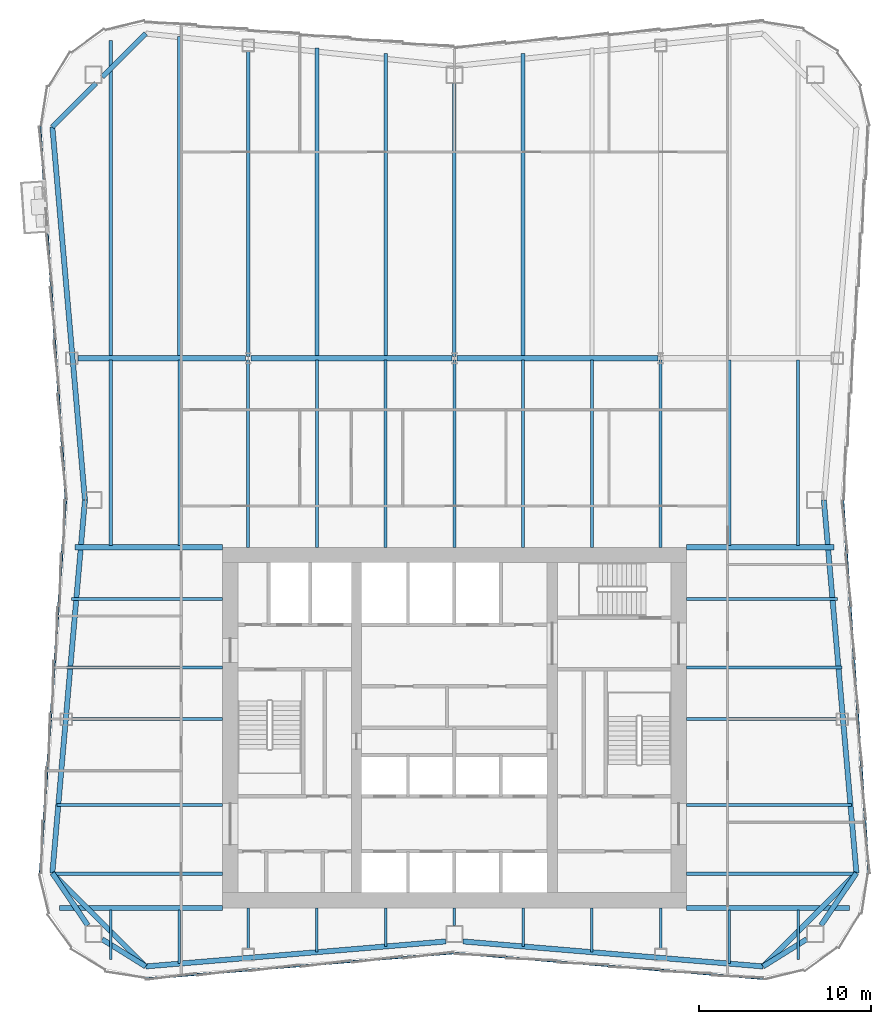
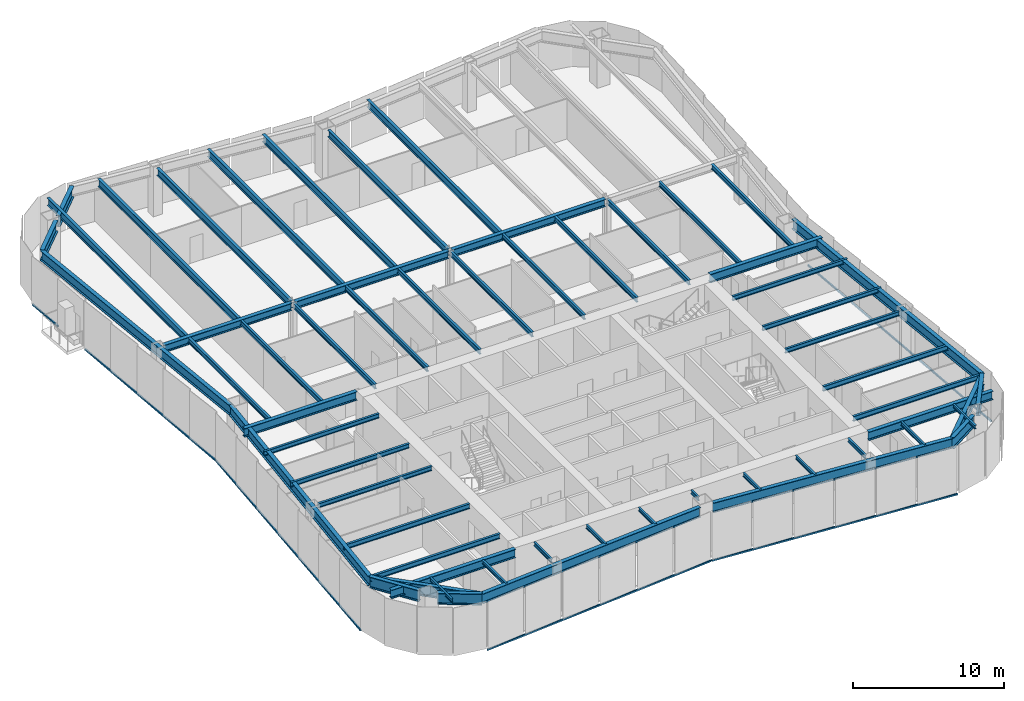
# One storey, part 2 of 10: 59 beams, 6 members, 3 elements without a shape of their own.
"""IFC4 building model written with IfcOpenShell, lengths in metres."""

import ifcopenshell
import ifcopenshell.guid

model = None  # the IFC model being written
_history = None  # IfcOwnerHistory: only IFC2X3 demands one
_inside = {}  # id of a spatial element -> (the spatial element, [elements in it])
_under = {}  # id of a project, library or spatial element -> (it, [spatial elements below it])
_declared = {}  # id of a project -> (the project, [libraries it declares])
_typed = {}  # id of a type object -> (the type object, [elements of that type])
_made_of = {}  # id of a material, layer set ... -> (it, [elements and type objects made of it])


def new_model(schema):
    """Start an empty IFC model of exactly this schema.

    Asked for "IFC4X3", IfcOpenShell would pick the latest addendum, in which some entities
    have other attributes; the version numbers below select the first issue.
    IFC2X3 requires an IfcOwnerHistory on every rooted entity: one is made here for all.
    """
    global model, _history
    if schema == "IFC4X3":
        model = ifcopenshell.file(schema_version=(4, 3, 0, 0))
    else:
        model = ifcopenshell.file(schema=schema)
    _inside.clear()
    _under.clear()
    _declared.clear()
    _typed.clear()
    _made_of.clear()
    _history = None
    if model.schema == "IFC2X3":
        org = make("IfcOrganization", Name="unknown")
        user = make(
            "IfcPersonAndOrganization",
            ThePerson=make("IfcPerson", FamilyName="unknown"),
            TheOrganization=org,
        )
        app = make(
            "IfcApplication",
            ApplicationDeveloper=org,
            Version="unknown",
            ApplicationFullName="unknown",
            ApplicationIdentifier="unknown",
        )
        _history = make(
            "IfcOwnerHistory",
            OwningUser=user,
            OwningApplication=app,
            ChangeAction="ADDED",
            CreationDate=0,
        )
    return model


def make(cls, **values):
    """One entity of the class cls with the attributes given. An attribute that is None is left unset."""
    return model.create_entity(
        cls, **{name: value for name, value in values.items() if value is not None}
    )


def rooted(cls, **values):
    """An entity with a GlobalId (a new one), such as an element, a storey or a relation."""
    return make(cls, GlobalId=ifcopenshell.guid.new(), OwnerHistory=_history, **values)


def si_unit(unit_type, name, prefix=None):
    """IfcSIUnit, for example si_unit("LENGTHUNIT", "METRE", prefix="MILLI")."""
    return make("IfcSIUnit", UnitType=unit_type, Prefix=prefix, Name=name)


def assignment(units):
    """IfcUnitAssignment: the units of a project."""
    return None if units is None else make("IfcUnitAssignment", Units=units)


def point(xyz):
    """IfcCartesianPoint."""
    return None if xyz is None else make("IfcCartesianPoint", Coordinates=xyz)


def direction(xyz):
    """IfcDirection."""
    return None if xyz is None else make("IfcDirection", DirectionRatios=xyz)


def frame(location, z_axis=None, x_axis=None):
    """IfcAxis2Placement3D, a coordinate frame: its origin and axes. An axis left out is left unset."""
    return make(
        "IfcAxis2Placement3D",
        Location=point(location),
        Axis=direction(z_axis),
        RefDirection=direction(x_axis),
    )


def frame_2d(location, x_axis=None):
    """IfcAxis2Placement2D, a coordinate frame in the plane: its origin and x axis."""
    return make(
        "IfcAxis2Placement2D", Location=point(location), RefDirection=direction(x_axis)
    )


def origin():
    """The frame at (0, 0, 0) with its axes left unset."""
    return frame((0.0, 0.0, 0.0))


def origin_2d():
    """The frame at (0, 0) in the plane with its x axis left unset."""
    return frame_2d((0.0, 0.0))


def place(relative_to, where):
    """IfcLocalPlacement: puts the frame where relative to a parent placement (None: the world)."""
    return make(
        "IfcLocalPlacement", PlacementRelTo=relative_to, RelativePlacement=where
    )


def context(
    kind, dimensions, precision=None, world=None, true_north=None, identifier=None
):
    """IfcGeometricRepresentationContext, for example the 3D "Model" context."""
    return make(
        "IfcGeometricRepresentationContext",
        ContextIdentifier=identifier,
        ContextType=kind,
        CoordinateSpaceDimension=dimensions,
        Precision=precision,
        WorldCoordinateSystem=world,
        TrueNorth=true_north,
    )


def subcontext(parent, identifier, kind, view, scale=None):
    """IfcGeometricRepresentationSubContext, for example "Body" below "Model"."""
    return make(
        "IfcGeometricRepresentationSubContext",
        ContextIdentifier=identifier,
        ContextType=kind,
        ParentContext=parent,
        TargetScale=scale,
        TargetView=view,
    )


def project(units=None, contexts=None):
    """IfcProject with its units and contexts."""
    return rooted(
        "IfcProject",
        Name="project",
        RepresentationContexts=contexts,
        UnitsInContext=assignment(units),
    )


def spatial(cls, under=None, at=None, **own):
    """A site, building, storey or space (cls), placed at a placement, below another one or the project."""
    s = rooted(cls, ObjectPlacement=at, **own)
    if under is not None:
        _under.setdefault(under.id(), (under, []))[1].append(s)
    return s


def profile(cls, at=None, kind="AREA", **sizes):
    """A parametric profile (cls). Its sizes go by their IFC names, for example OverallWidth=200.0."""
    return make(cls, ProfileType=kind, Position=at, **sizes)


def rectangle(**sizes):
    """IfcRectangleProfileDef."""
    return profile("IfcRectangleProfileDef", **sizes)


def i_section(**sizes):
    """IfcIShapeProfileDef."""
    return profile("IfcIShapeProfileDef", **sizes)


def extrude(swept, where, along, depth):
    """IfcExtrudedAreaSolid: the profile swept, set in the frame where, extruded along a direction by depth."""
    return make(
        "IfcExtrudedAreaSolid",
        SweptArea=swept,
        Position=where,
        ExtrudedDirection=direction(along),
        Depth=depth,
    )


def shape(context_of_items, identifier, shape_type, items):
    """IfcShapeRepresentation: the items that make up one representation, for example the "Body"."""
    return make(
        "IfcShapeRepresentation",
        ContextOfItems=context_of_items,
        RepresentationIdentifier=identifier,
        RepresentationType=shape_type,
        Items=items,
    )


def material(Name=None, Category=None):
    """IfcMaterial."""
    return make("IfcMaterial", Name=Name, Category=Category)


def material_profile(
    of_material, cross_section, Name=None, Category=None, Priority=None
):
    """IfcMaterialProfile: a cross section and its material."""
    return make(
        "IfcMaterialProfile",
        Name=Name,
        Material=of_material,
        Profile=cross_section,
        Priority=Priority,
        Category=Category,
    )


def profile_set(profiles, Name=None, composite=None):
    """IfcMaterialProfileSet."""
    return make(
        "IfcMaterialProfileSet",
        Name=Name,
        MaterialProfiles=profiles,
        CompositeProfile=composite,
    )


def made_of(thing, what):
    """Note that an element or type object is made of a material, layer set ...; save() writes the relation."""
    if what is not None:
        _made_of.setdefault(what.id(), (what, []))[1].append(thing)
    return thing


def type_object(cls, material=None, **own):
    """A type object (cls), such as IfcWallType, which elements share."""
    return made_of(rooted(cls, **own), material)


def element(
    cls,
    number,
    at=None,
    inside=None,
    cuts=None,
    type_object=None,
    material=None,
    context=None,
    identifier="Body",
    shape_type=None,
    held_by="IfcProductDefinitionShape",
    body=None,
    shapes=None,
    **own,
):
    """One element of the class cls, such as IfcWall. Its Tag is "e" and its number.

    at: its placement. inside: the storey or other place that contains it. cuts: it is an
    opening in that element (IfcRelVoidsElement). A single representation is given by context,
    identifier, shape_type and body (its items); several are given by shapes. held_by: the class
    of the entity that holds the representations. save() writes the other relations.
    """
    e = rooted(cls, Tag="e%d" % number, ObjectPlacement=at, **own)
    if body is not None:
        shapes = [shape(context, identifier, shape_type, body)]
    if shapes is not None:
        e.Representation = make(held_by, Representations=shapes)
    if inside is not None:
        _inside.setdefault(inside.id(), (inside, []))[1].append(e)
    if cuts is not None:
        rooted(
            "IfcRelVoidsElement", RelatingBuildingElement=cuts, RelatedOpeningElement=e
        )
    if type_object is not None:
        _typed.setdefault(type_object.id(), (type_object, []))[1].append(e)
    return made_of(e, material)


def aggregate(whole, parts):
    """IfcRelAggregates: a whole, such as a stair, and the parts it consists of."""
    return rooted("IfcRelAggregates", RelatingObject=whole, RelatedObjects=parts)


def save(model, path):
    """Write the relations noted so far, then the file.

    IfcRelAggregates (storeys below a building ...), IfcRelContainedInSpatialStructure (elements
    in a storey), IfcRelDefinesByType, IfcRelAssociatesMaterial and IfcRelDeclares: one each for
    every whole, place, type object, material and project.
    """
    for whole, parts in _under.values():
        aggregate(whole, parts)
    for where, things in _inside.values():
        rooted(
            "IfcRelContainedInSpatialStructure",
            RelatedElements=things,
            RelatingStructure=where,
        )
    for kind, things in _typed.values():
        rooted("IfcRelDefinesByType", RelatedObjects=things, RelatingType=kind)
    for what, things in _made_of.values():
        rooted("IfcRelAssociatesMaterial", RelatedObjects=things, RelatingMaterial=what)
    for by, libraries in _declared.values():
        rooted("IfcRelDeclares", RelatingContext=by, RelatedDefinitions=libraries)
    model.write(path)


model = new_model("IFC4")

# Units and contexts
model_context = context("Model", 3, precision=1e-05, world=origin(), true_north=direction((0.0, 1.0)))
body_context = subcontext(model_context, "Body", "Model", "MODEL_VIEW")
ifc_project = project(units=[si_unit("LENGTHUNIT", "METRE"), si_unit("AREAUNIT", "SQUARE_METRE"), si_unit("VOLUMEUNIT", "CUBIC_METRE"), si_unit("PLANEANGLEUNIT", "RADIAN"), si_unit("MASSUNIT", "GRAM", prefix="KILO")], contexts=[model_context])

# Site, building, storey
site_placement = place(None, origin())
site = spatial("IfcSite", under=ifc_project, at=site_placement, CompositionType="ELEMENT")
building_placement = place(site_placement, origin())
building = spatial("IfcBuilding", under=site, at=building_placement, Name="Verdant Reach Tower", CompositionType="ELEMENT")
storey_placement = place(building_placement, frame((0.0, 0.0, 202.0)))
storey = spatial("IfcBuildingStorey", under=building, at=storey_placement, Name="L46", CompositionType="ELEMENT", Elevation=202.0)

# Curtain wall, member
ifc_material_1 = material(Name="Anodised aluminium", Category="aluminium")
curtain_wall_type = type_object("IfcCurtainWallType", Name="EN-CW SYSTEM Z3", PredefinedType="NOTDEFINED", material=ifc_material_1)
curtain_wall_1_placement = place(storey_placement, origin())
curtain_wall_1 = element("IfcCurtainWall", 1, at=curtain_wall_1_placement, inside=storey, type_object=curtain_wall_type, Name="Curtain wall east, L46", PredefinedType="NOTDEFINED")
ifc_material_profile_1 = material_profile(ifc_material_1, rectangle(XDim=0.10009765625, YDim=0.1259765625, at=origin_2d()), Name="Transom 126x100")
ifc_profile_set_1 = profile_set([ifc_material_profile_1], Name="Anodised aluminium")
member_type = type_object("IfcMemberType", Name="EN-TRANSOM Z3", PredefinedType="USERDEFINED", material=ifc_profile_set_1)
member_1_placement = place(storey_placement, frame((24.1064453125, 19.52587890625, -0.287109375), z_axis=(-0.068764326054, 0.997632932226, 0.0), x_axis=(-0.997632932226, -0.068764326054, 0.0)))
member_1 = element("IfcMember", 2, at=member_1_placement, type_object=member_type, Name="Transom east face part 1 1.1, L46", ObjectType="TRANSOM", PredefinedType="USERDEFINED", context=body_context, shape_type="SweptSolid", body=[
    extrude(rectangle(XDim=0.10009765625, YDim=0.1259765625, at=origin_2d()), origin(), (0.0, 0.0, 1.0), 21.74267578125),
])
aggregate(curtain_wall_1, [member_1])

# Curtain wall, members
curtain_wall_2_placement = place(storey_placement, origin())
curtain_wall_2 = element("IfcCurtainWall", 3, at=curtain_wall_2_placement, inside=storey, type_object=curtain_wall_type, Name="Curtain wall west, L46", PredefinedType="NOTDEFINED")
member_2_placement = place(storey_placement, frame((-24.1064453125, 62.97412109375, -0.287109375), z_axis=(0.068465633569, -0.997653475421, 0.0), x_axis=(0.997653475421, 0.068465633569, 0.0)))
member_2 = element("IfcMember", 4, at=member_2_placement, type_object=member_type, Name="Transom west face part 1 1.1, L46", ObjectType="TRANSOM", PredefinedType="USERDEFINED", context=body_context, shape_type="SweptSolid", body=[
    extrude(rectangle(XDim=0.10009765625, YDim=0.1259765625, at=origin_2d()), origin(), (0.0, 0.0, 1.0), 3.06298828125),
])
member_3_placement = place(storey_placement, frame((-23.677978515625, 56.745361328125, -0.287109375), z_axis=(0.068819931299, -0.99762909794, 0.0), x_axis=(0.99762909794, 0.068819931299, 0.0)))
member_3 = element("IfcMember", 5, at=member_3_placement, type_object=member_type, Name="Transom west face part 1 2.1, L46", ObjectType="TRANSOM", PredefinedType="USERDEFINED", context=body_context, shape_type="SweptSolid", body=[
    extrude(rectangle(XDim=0.10009765625, YDim=0.1259765625, at=origin_2d()), origin(), (0.0, 0.0, 1.0), 15.499267578125),
])
member_4_placement = place(storey_placement, frame((-22.611328125, 41.217041015625, -0.287109375), z_axis=(-0.068764326054, -0.997632932226, 0.0), x_axis=(0.997632932226, -0.068764326054, 0.0)))
member_4 = element("IfcMember", 6, at=member_4_placement, type_object=member_type, Name="Transom west face part 2 1.1, L46", ObjectType="TRANSOM", PredefinedType="USERDEFINED", context=body_context, shape_type="SweptSolid", body=[
    extrude(rectangle(XDim=0.10009765625, YDim=0.1259765625, at=origin_2d()), origin(), (0.0, 0.0, 1.0), 21.74267578125),
])
aggregate(curtain_wall_2, [member_2, member_3, member_4])

curtain_wall_3_placement = place(storey_placement, origin())
curtain_wall_3 = element("IfcCurtainWall", 7, at=curtain_wall_3_placement, inside=storey, type_object=curtain_wall_type, Name="Curtain wall south, L46", PredefinedType="NOTDEFINED")
member_5_placement = place(storey_placement, frame((-17.973388671875, 13.393798828125, -0.287109375), z_axis=(0.996548750467, 0.083009565369, 0.0), x_axis=(-0.083009565369, 0.996548750467, 0.0)))
member_5 = element("IfcMember", 8, at=member_5_placement, type_object=member_type, Name="Transom south face part 1 1.1, L46", ObjectType="TRANSOM", PredefinedType="USERDEFINED", context=body_context, shape_type="SweptSolid", body=[
    extrude(rectangle(XDim=0.10009765625, YDim=0.1259765625, at=origin_2d()), origin(), (0.0, 0.0, 1.0), 18.00244140625),
])
member_6_placement = place(storey_placement, frame((0.032958984375, 14.88818359375, -0.287109375), z_axis=(0.996548750467, -0.083009565369, 0.0), x_axis=(0.083009565369, 0.996548750467, 0.0)))
member_6 = element("IfcMember", 9, at=member_6_placement, type_object=member_type, Name="Transom south face part 2 1.1, L46", ObjectType="TRANSOM", PredefinedType="USERDEFINED", context=body_context, shape_type="SweptSolid", body=[
    extrude(rectangle(XDim=0.10009765625, YDim=0.1259765625, at=origin_2d()), origin(), (0.0, 0.0, 1.0), 18.00244140625),
])
aggregate(curtain_wall_3, [member_5, member_6])

# Beams
ifc_material_2 = material(Name="Steel S355", Category="steel")
ifc_material_profile_2 = material_profile(ifc_material_2, i_section(OverallWidth=0.300048828125, OverallDepth=0.60009765625, WebThickness=0.015380859375, FlangeThickness=0.030029296875, FilletRadius=0.027099609375, at=origin_2d()), Name="HEB 600")
ifc_profile_set_2 = profile_set([ifc_material_profile_2], Name="Steel S355")
beam_type_1 = type_object("IfcBeamType", Name="ST-BEAM-HEB600", PredefinedType="BEAM", material=ifc_profile_set_2)
beam_1_placement = place(storey_placement, frame((-21.9189453125, 49.5, 3.570068359375), z_axis=(1.0, 0.0, 0.0), x_axis=(0.0, 1.0, 0.0)))
element("IfcBeam", 10, at=beam_1_placement, inside=storey, type_object=beam_type_1, Name="Row girder, L46", PredefinedType="BEAM", context=body_context, shape_type="SweptSolid", body=[
    extrude(i_section(OverallWidth=0.300048828125, OverallDepth=0.60009765625, WebThickness=0.015380859375, FlangeThickness=0.030029296875, FilletRadius=0.027099609375, at=origin_2d()), origin(), (0.0, 0.0, 1.0), 9.766357421875),
])
for number, where, z_axis, x_axis, name in (
    (11, (-11.847412109375, 49.5, 3.570068359375), (1.0, 0.0, 0.0), (0.0, 1.0, 0.0), "Row girder, L46"),
    (12, (0.152587890625, 49.5, 3.570068359375), (1.0, 0.0, 0.0), (0.0, 1.0, 0.0), "Row girder, L46"),
):
    element("IfcBeam", number, at=place(storey_placement, frame(where, z_axis=z_axis, x_axis=x_axis)), inside=storey, type_object=beam_type_1, Name=name, PredefinedType="BEAM", context=body_context, shape_type="SweptSolid", body=[
        extrude(i_section(OverallWidth=0.300048828125, OverallDepth=0.60009765625, WebThickness=0.015380859375, FlangeThickness=0.030029296875, FilletRadius=0.027099609375, at=origin_2d()), origin(), (0.0, 0.0, 1.0), 11.69482421875),
    ])
ifc_material_profile_3 = material_profile(ifc_material_2, i_section(OverallWidth=0.300048828125, OverallDepth=0.699951171875, WebThickness=0.01708984375, FlangeThickness=0.031982421875, FilletRadius=0.027099609375, at=origin_2d()), Name="HEB 700")
ifc_profile_set_3 = profile_set([ifc_material_profile_3], Name="Steel S355")
beam_type_2 = type_object("IfcBeamType", Name="ST-BEAM-HEB700", PredefinedType="BEAM", material=ifc_profile_set_3)
for number, where, z_axis, x_axis, name in (
    (13, (13.5, 38.5, 3.52001953125), (1.0, 0.0, 0.0), (0.0, 1.0, 0.0), "Trimmer beam, L46"),
    (14, (-13.5, 38.5, 3.52001953125), (-1.0, 0.0, 0.0), (0.0, -1.0, 0.0), "Trimmer beam, L46"),
):
    element("IfcBeam", number, at=place(storey_placement, frame(where, z_axis=z_axis, x_axis=x_axis)), inside=storey, type_object=beam_type_2, Name=name, PredefinedType="BEAM", context=body_context, shape_type="SweptSolid", body=[
        extrude(i_section(OverallWidth=0.300048828125, OverallDepth=0.699951171875, WebThickness=0.01708984375, FlangeThickness=0.031982421875, FilletRadius=0.027099609375, at=origin_2d()), origin(), (0.0, 0.0, 1.0), 8.588134765625),
    ])
for number, where, z_axis, x_axis, name in (
    (15, (13.5, 17.5, 3.52001953125), (1.0, 0.0, 0.0), (0.0, 1.0, 0.0), "Trimmer beam, L46"),
    (16, (-13.5, 17.5, 3.52001953125), (-1.0, 0.0, 0.0), (0.0, -1.0, 0.0), "Trimmer beam, L46"),
):
    element("IfcBeam", number, at=place(storey_placement, frame(where, z_axis=z_axis, x_axis=x_axis)), inside=storey, type_object=beam_type_2, Name=name, PredefinedType="BEAM", context=body_context, shape_type="SweptSolid", body=[
        extrude(i_section(OverallWidth=0.300048828125, OverallDepth=0.699951171875, WebThickness=0.01708984375, FlangeThickness=0.031982421875, FilletRadius=0.027099609375, at=origin_2d()), origin(), (0.0, 0.0, 1.0), 9.490478515625),
    ])
ifc_material_profile_4 = material_profile(ifc_material_2, i_section(OverallWidth=0.302001953125, OverallDepth=0.909912109375, WebThickness=0.02099609375, FlangeThickness=0.0400390625, FilletRadius=0.030029296875, at=origin_2d()), Name="HEM 900")
ifc_profile_set_4 = profile_set([ifc_material_profile_4], Name="Steel S355")
beam_type_3 = type_object("IfcBeamType", Name="ST-BEAM-HEM900", PredefinedType="BEAM", material=ifc_profile_set_4)
beam_2_placement = place(storey_placement, frame((20.5, 15.687744140625, 3.4150390625), z_axis=(-0.848163521635, -0.529734500073, 0.0), x_axis=(0.529734500073, -0.848163521635, 0.0)))
element("IfcBeam", 17, at=beam_2_placement, inside=storey, type_object=beam_type_3, Name="Column stub beam, L46", PredefinedType="BEAM", context=body_context, shape_type="SweptSolid", body=[
    extrude(i_section(OverallWidth=0.302001953125, OverallDepth=0.909912109375, WebThickness=0.02099609375, FlangeThickness=0.0400390625, FilletRadius=0.030029296875, at=origin_2d()), origin(), (0.0, 0.0, 1.0), 2.98779296875),
])
beam_3_placement = place(storey_placement, frame((21.33837890625, 16.5, 3.4150390625), z_axis=(0.560703975309, 0.828016335631, 0.0), x_axis=(-0.828016335631, 0.560703975309, 0.0)))
element("IfcBeam", 18, at=beam_3_placement, inside=storey, type_object=beam_type_3, Name="Column stub beam, L46", PredefinedType="BEAM", context=body_context, shape_type="SweptSolid", body=[
    extrude(i_section(OverallWidth=0.302001953125, OverallDepth=0.909912109375, WebThickness=0.02099609375, FlangeThickness=0.0400390625, FilletRadius=0.030029296875, at=origin_2d()), origin(), (0.0, 0.0, 1.0), 3.669677734375),
])
beam_4_placement = place(storey_placement, frame((-20.5, 15.687744140625, 3.4150390625), z_axis=(0.848163521635, -0.529734500073, 0.0), x_axis=(0.529734500073, 0.848163521635, 0.0)))
element("IfcBeam", 19, at=beam_4_placement, inside=storey, type_object=beam_type_3, Name="Column stub beam, L46", PredefinedType="BEAM", context=body_context, shape_type="SweptSolid", body=[
    extrude(i_section(OverallWidth=0.302001953125, OverallDepth=0.909912109375, WebThickness=0.02099609375, FlangeThickness=0.0400390625, FilletRadius=0.030029296875, at=origin_2d()), origin(), (0.0, 0.0, 1.0), 2.98779296875),
])
beam_5_placement = place(storey_placement, frame((-21.33837890625, 16.5, 3.4150390625), z_axis=(-0.560703975309, 0.828016335631, 0.0), x_axis=(-0.828016335631, -0.560703975309, 0.0)))
element("IfcBeam", 20, at=beam_5_placement, inside=storey, type_object=beam_type_3, Name="Column stub beam, L46", PredefinedType="BEAM", context=body_context, shape_type="SweptSolid", body=[
    extrude(i_section(OverallWidth=0.302001953125, OverallDepth=0.909912109375, WebThickness=0.02099609375, FlangeThickness=0.0400390625, FilletRadius=0.030029296875, at=origin_2d()), origin(), (0.0, 0.0, 1.0), 3.669677734375),
])
ifc_material_profile_5 = material_profile(ifc_material_2, i_section(OverallWidth=0.14990234375, OverallDepth=0.300048828125, WebThickness=0.007080078125, FlangeThickness=0.0107421875, FilletRadius=0.014892578125, at=origin_2d()), Name="IPE 300")
ifc_profile_set_5 = profile_set([ifc_material_profile_5], Name="Steel S355")
beam_type_4 = type_object("IfcBeamType", Name="ST-JOIST-IPE300", PredefinedType="JOIST", material=ifc_profile_set_5)
beam_6_placement = place(storey_placement, frame((-20.0, 17.39990234375, 3.719970703125), z_axis=(0.0, -1.0, 0.0), x_axis=(1.0, 0.0, 0.0)))
element("IfcBeam", 21, at=beam_6_placement, inside=storey, type_object=beam_type_4, Name="Floor joist, L46", PredefinedType="JOIST", context=body_context, shape_type="SweptSolid", body=[
    extrude(i_section(OverallWidth=0.14990234375, OverallDepth=0.300048828125, WebThickness=0.007080078125, FlangeThickness=0.0107421875, FilletRadius=0.014892578125, at=origin_2d()), origin(), (0.0, 0.0, 1.0), 2.890380859375),
])
beam_7_placement = place(storey_placement, frame((-16.0, 17.39990234375, 3.719970703125), z_axis=(0.0, -1.0, 0.0), x_axis=(1.0, 0.0, 0.0)))
element("IfcBeam", 22, at=beam_7_placement, inside=storey, type_object=beam_type_4, Name="Floor joist, L46", PredefinedType="JOIST", context=body_context, shape_type="SweptSolid", body=[
    extrude(i_section(OverallWidth=0.14990234375, OverallDepth=0.300048828125, WebThickness=0.007080078125, FlangeThickness=0.0107421875, FilletRadius=0.014892578125, at=origin_2d()), origin(), (0.0, 0.0, 1.0), 3.131103515625),
])
beam_8_placement = place(storey_placement, frame((-12.0, 17.5, 3.719970703125), z_axis=(0.0, -1.0, 0.0), x_axis=(1.0, 0.0, 0.0)))
element("IfcBeam", 23, at=beam_8_placement, inside=storey, type_object=beam_type_4, Name="Floor joist, L46", PredefinedType="JOIST", context=body_context, shape_type="SweptSolid", body=[
    extrude(i_section(OverallWidth=0.14990234375, OverallDepth=0.300048828125, WebThickness=0.007080078125, FlangeThickness=0.0107421875, FilletRadius=0.014892578125, at=origin_2d()), origin(), (0.0, 0.0, 1.0), 2.35009765625),
])
beam_9_placement = place(storey_placement, frame((-8.0, 17.5, 3.719970703125), z_axis=(0.0, -1.0, 0.0), x_axis=(1.0, 0.0, 0.0)))
element("IfcBeam", 24, at=beam_9_placement, inside=storey, type_object=beam_type_4, Name="Floor joist, L46", PredefinedType="JOIST", context=body_context, shape_type="SweptSolid", body=[
    extrude(i_section(OverallWidth=0.14990234375, OverallDepth=0.300048828125, WebThickness=0.007080078125, FlangeThickness=0.0107421875, FilletRadius=0.014892578125, at=origin_2d()), origin(), (0.0, 0.0, 1.0), 2.564697265625),
])
beam_10_placement = place(storey_placement, frame((-4.0, 17.5, 3.719970703125), z_axis=(0.0, -1.0, 0.0), x_axis=(1.0, 0.0, 0.0)))
element("IfcBeam", 25, at=beam_10_placement, inside=storey, type_object=beam_type_4, Name="Floor joist, L46", PredefinedType="JOIST", context=body_context, shape_type="SweptSolid", body=[
    extrude(i_section(OverallWidth=0.14990234375, OverallDepth=0.300048828125, WebThickness=0.007080078125, FlangeThickness=0.0107421875, FilletRadius=0.014892578125, at=origin_2d()), origin(), (0.0, 0.0, 1.0), 2.231201171875),
])
beam_11_placement = place(storey_placement, frame((0.0, 17.5, 3.719970703125), z_axis=(0.0, -1.0, 0.0), x_axis=(1.0, 0.0, 0.0)))
element("IfcBeam", 26, at=beam_11_placement, inside=storey, type_object=beam_type_4, Name="Floor joist, L46", PredefinedType="JOIST", context=body_context, shape_type="SweptSolid", body=[
    extrude(i_section(OverallWidth=0.14990234375, OverallDepth=0.300048828125, WebThickness=0.007080078125, FlangeThickness=0.0107421875, FilletRadius=0.014892578125, at=origin_2d()), origin(), (0.0, 0.0, 1.0), 1.0),
])
beam_12_placement = place(storey_placement, frame((4.0, 17.5, 3.719970703125), z_axis=(0.0, -1.0, 0.0), x_axis=(1.0, 0.0, 0.0)))
element("IfcBeam", 27, at=beam_12_placement, inside=storey, type_object=beam_type_4, Name="Floor joist, L46", PredefinedType="JOIST", context=body_context, shape_type="SweptSolid", body=[
    extrude(i_section(OverallWidth=0.14990234375, OverallDepth=0.300048828125, WebThickness=0.007080078125, FlangeThickness=0.0107421875, FilletRadius=0.014892578125, at=origin_2d()), origin(), (0.0, 0.0, 1.0), 2.231201171875),
])
beam_13_placement = place(storey_placement, frame((8.0, 17.5, 3.719970703125), z_axis=(0.0, -1.0, 0.0), x_axis=(1.0, 0.0, 0.0)))
element("IfcBeam", 28, at=beam_13_placement, inside=storey, type_object=beam_type_4, Name="Floor joist, L46", PredefinedType="JOIST", context=body_context, shape_type="SweptSolid", body=[
    extrude(i_section(OverallWidth=0.14990234375, OverallDepth=0.300048828125, WebThickness=0.007080078125, FlangeThickness=0.0107421875, FilletRadius=0.014892578125, at=origin_2d()), origin(), (0.0, 0.0, 1.0), 2.564697265625),
])
beam_14_placement = place(storey_placement, frame((12.0, 17.5, 3.719970703125), z_axis=(0.0, -1.0, 0.0), x_axis=(1.0, 0.0, 0.0)))
element("IfcBeam", 29, at=beam_14_placement, inside=storey, type_object=beam_type_4, Name="Floor joist, L46", PredefinedType="JOIST", context=body_context, shape_type="SweptSolid", body=[
    extrude(i_section(OverallWidth=0.14990234375, OverallDepth=0.300048828125, WebThickness=0.007080078125, FlangeThickness=0.0107421875, FilletRadius=0.014892578125, at=origin_2d()), origin(), (0.0, 0.0, 1.0), 2.35009765625),
])
beam_15_placement = place(storey_placement, frame((16.0, 17.39990234375, 3.719970703125), z_axis=(0.0, -1.0, 0.0), x_axis=(1.0, 0.0, 0.0)))
element("IfcBeam", 30, at=beam_15_placement, inside=storey, type_object=beam_type_4, Name="Floor joist, L46", PredefinedType="JOIST", context=body_context, shape_type="SweptSolid", body=[
    extrude(i_section(OverallWidth=0.14990234375, OverallDepth=0.300048828125, WebThickness=0.007080078125, FlangeThickness=0.0107421875, FilletRadius=0.014892578125, at=origin_2d()), origin(), (0.0, 0.0, 1.0), 3.131103515625),
])
beam_16_placement = place(storey_placement, frame((20.0, 17.39990234375, 3.719970703125), z_axis=(0.0, -1.0, 0.0), x_axis=(1.0, 0.0, 0.0)))
element("IfcBeam", 31, at=beam_16_placement, inside=storey, type_object=beam_type_4, Name="Floor joist, L46", PredefinedType="JOIST", context=body_context, shape_type="SweptSolid", body=[
    extrude(i_section(OverallWidth=0.14990234375, OverallDepth=0.300048828125, WebThickness=0.007080078125, FlangeThickness=0.0107421875, FilletRadius=0.014892578125, at=origin_2d()), origin(), (0.0, 0.0, 1.0), 2.890380859375),
])
ifc_material_profile_6 = material_profile(ifc_material_2, i_section(OverallWidth=0.169921875, OverallDepth=0.360107421875, WebThickness=0.008056640625, FlangeThickness=0.0126953125, FilletRadius=0.01806640625, at=origin_2d()), Name="IPE 360")
ifc_profile_set_6 = profile_set([ifc_material_profile_6], Name="Steel S355")
beam_type_5 = type_object("IfcBeamType", Name="ST-JOIST-IPE360", PredefinedType="JOIST", material=ifc_profile_set_6)
for number, where, z_axis, x_axis, name in (
    (32, (13.5, 28.5, 3.68994140625), (1.0, 0.0, 0.0), (0.0, 1.0, 0.0), "Floor joist, L46"),
    (33, (-13.5, 28.5, 3.68994140625), (-1.0, 0.0, 0.0), (0.0, -1.0, 0.0), "Floor joist, L46"),
):
    element("IfcBeam", number, at=place(storey_placement, frame(where, z_axis=z_axis, x_axis=x_axis)), inside=storey, type_object=beam_type_5, Name=name, PredefinedType="JOIST", context=body_context, shape_type="SweptSolid", body=[
        extrude(i_section(OverallWidth=0.169921875, OverallDepth=0.360107421875, WebThickness=0.008056640625, FlangeThickness=0.0126953125, FilletRadius=0.01806640625, at=origin_2d()), origin(), (0.0, 0.0, 1.0), 8.729248046875),
    ])
for number, where, z_axis, x_axis, name in (
    (34, (13.5, 31.5, 3.68994140625), (1.0, 0.0, 0.0), (0.0, 1.0, 0.0), "Floor joist, L46"),
    (35, (-13.5, 31.5, 3.68994140625), (-1.0, 0.0, 0.0), (0.0, -1.0, 0.0), "Floor joist, L46"),
):
    element("IfcBeam", number, at=place(storey_placement, frame(where, z_axis=z_axis, x_axis=x_axis)), inside=storey, type_object=beam_type_5, Name=name, PredefinedType="JOIST", context=body_context, shape_type="SweptSolid", body=[
        extrude(i_section(OverallWidth=0.169921875, OverallDepth=0.360107421875, WebThickness=0.008056640625, FlangeThickness=0.0126953125, FilletRadius=0.01806640625, at=origin_2d()), origin(), (0.0, 0.0, 1.0), 9.071044921875),
    ])
for number, where, z_axis, x_axis, name in (
    (36, (13.5, 35.5, 3.68994140625), (1.0, 0.0, 0.0), (0.0, 1.0, 0.0), "Floor joist, L46"),
    (37, (-13.5, 35.5, 3.68994140625), (-1.0, 0.0, 0.0), (0.0, -1.0, 0.0), "Floor joist, L46"),
):
    element("IfcBeam", number, at=place(storey_placement, frame(where, z_axis=z_axis, x_axis=x_axis)), inside=storey, type_object=beam_type_5, Name=name, PredefinedType="JOIST", context=body_context, shape_type="SweptSolid", body=[
        extrude(i_section(OverallWidth=0.169921875, OverallDepth=0.360107421875, WebThickness=0.008056640625, FlangeThickness=0.0126953125, FilletRadius=0.01806640625, at=origin_2d()), origin(), (0.0, 0.0, 1.0), 8.795166015625),
    ])
ifc_material_profile_7 = material_profile(ifc_material_2, i_section(OverallWidth=0.179931640625, OverallDepth=0.39990234375, WebThickness=0.008544921875, FlangeThickness=0.013427734375, FilletRadius=0.02099609375, at=origin_2d()), Name="IPE 400")
ifc_profile_set_7 = profile_set([ifc_material_profile_7], Name="Steel S355")
beam_type_6 = type_object("IfcBeamType", Name="ST-JOIST-IPE400", PredefinedType="JOIST", material=ifc_profile_set_7)
for number, where, z_axis, x_axis, name in (
    (38, (-20.0, 38.60009765625, 3.669921875), (0.0, 1.0, 0.0), (-1.0, 0.0, 0.0), "Floor joist, L46"),
    (39, (-16.0, 38.60009765625, 3.669921875), (0.0, 1.0, 0.0), (-1.0, 0.0, 0.0), "Floor joist, L46"),
):
    element("IfcBeam", number, at=place(storey_placement, frame(where, z_axis=z_axis, x_axis=x_axis)), inside=storey, type_object=beam_type_6, Name=name, PredefinedType="JOIST", context=body_context, shape_type="SweptSolid", body=[
        extrude(i_section(OverallWidth=0.179931640625, OverallDepth=0.39990234375, WebThickness=0.008544921875, FlangeThickness=0.013427734375, FilletRadius=0.02099609375, at=origin_2d()), origin(), (0.0, 0.0, 1.0), 10.7998046875),
    ])
for number, where, z_axis, x_axis, name in (
    (40, (-12.0, 38.5, 3.669921875), (0.0, 1.0, 0.0), (-1.0, 0.0, 0.0), "Floor joist, L46"),
    (41, (-8.0, 38.5, 3.669921875), (0.0, 1.0, 0.0), (-1.0, 0.0, 0.0), "Floor joist, L46"),
    (42, (-4.0, 38.5, 3.669921875), (0.0, 1.0, 0.0), (-1.0, 0.0, 0.0), "Floor joist, L46"),
    (43, (0.0, 38.5, 3.669921875), (0.0, 1.0, 0.0), (-1.0, 0.0, 0.0), "Floor joist, L46"),
    (44, (4.0, 38.5, 3.669921875), (0.0, 1.0, 0.0), (-1.0, 0.0, 0.0), "Floor joist, L46"),
    (45, (8.0, 38.5, 3.669921875), (0.0, 1.0, 0.0), (-1.0, 0.0, 0.0), "Floor joist, L46"),
    (46, (12.0, 38.5, 3.669921875), (0.0, 1.0, 0.0), (-1.0, 0.0, 0.0), "Floor joist, L46"),
):
    element("IfcBeam", number, at=place(storey_placement, frame(where, z_axis=z_axis, x_axis=x_axis)), inside=storey, type_object=beam_type_6, Name=name, PredefinedType="JOIST", context=body_context, shape_type="SweptSolid", body=[
        extrude(i_section(OverallWidth=0.179931640625, OverallDepth=0.39990234375, WebThickness=0.008544921875, FlangeThickness=0.013427734375, FilletRadius=0.02099609375, at=origin_2d()), origin(), (0.0, 0.0, 1.0), 10.89990234375),
    ])
for number, where, z_axis, x_axis, name in (
    (47, (16.0, 38.60009765625, 3.669921875), (0.0, 1.0, 0.0), (-1.0, 0.0, 0.0), "Floor joist, L46"),
    (48, (20.0, 38.60009765625, 3.669921875), (0.0, 1.0, 0.0), (-1.0, 0.0, 0.0), "Floor joist, L46"),
):
    element("IfcBeam", number, at=place(storey_placement, frame(where, z_axis=z_axis, x_axis=x_axis)), inside=storey, type_object=beam_type_6, Name=name, PredefinedType="JOIST", context=body_context, shape_type="SweptSolid", body=[
        extrude(i_section(OverallWidth=0.179931640625, OverallDepth=0.39990234375, WebThickness=0.008544921875, FlangeThickness=0.013427734375, FilletRadius=0.02099609375, at=origin_2d()), origin(), (0.0, 0.0, 1.0), 10.7998046875),
    ])
for number, where, z_axis, x_axis, name in (
    (49, (13.5, 19.5, 3.669921875), (1.0, 0.0, 0.0), (0.0, 1.0, 0.0), "Floor joist, L46"),
    (50, (-13.5, 19.5, 3.669921875), (-1.0, 0.0, 0.0), (0.0, -1.0, 0.0), "Floor joist, L46"),
):
    element("IfcBeam", number, at=place(storey_placement, frame(where, z_axis=z_axis, x_axis=x_axis)), inside=storey, type_object=beam_type_6, Name=name, PredefinedType="JOIST", context=body_context, shape_type="SweptSolid", body=[
        extrude(i_section(OverallWidth=0.179931640625, OverallDepth=0.39990234375, WebThickness=0.008544921875, FlangeThickness=0.013427734375, FilletRadius=0.02099609375, at=origin_2d()), origin(), (0.0, 0.0, 1.0), 9.88818359375),
    ])
for number, where, z_axis, x_axis, name in (
    (51, (13.5, 23.5, 3.669921875), (1.0, 0.0, 0.0), (0.0, 1.0, 0.0), "Floor joist, L46"),
    (52, (-13.5, 23.5, 3.669921875), (-1.0, 0.0, 0.0), (0.0, -1.0, 0.0), "Floor joist, L46"),
):
    element("IfcBeam", number, at=place(storey_placement, frame(where, z_axis=z_axis, x_axis=x_axis)), inside=storey, type_object=beam_type_6, Name=name, PredefinedType="JOIST", context=body_context, shape_type="SweptSolid", body=[
        extrude(i_section(OverallWidth=0.179931640625, OverallDepth=0.39990234375, WebThickness=0.008544921875, FlangeThickness=0.013427734375, FilletRadius=0.02099609375, at=origin_2d()), origin(), (0.0, 0.0, 1.0), 9.622802734375),
    ])
ifc_material_profile_8 = material_profile(ifc_material_2, i_section(OverallWidth=0.2099609375, OverallDepth=0.550048828125, WebThickness=0.010986328125, FlangeThickness=0.01708984375, FilletRadius=0.02392578125, at=origin_2d()), Name="IPE 550")
ifc_profile_set_8 = profile_set([ifc_material_profile_8], Name="Steel S355")
beam_type_7 = type_object("IfcBeamType", Name="ST-JOIST-IPE550", PredefinedType="JOIST", material=ifc_profile_set_8)
beam_17_placement = place(storey_placement, frame((0.0, 49.60009765625, 3.594970703125), z_axis=(0.0, 1.0, 0.0), x_axis=(-1.0, 0.0, 0.0)))
element("IfcBeam", 53, at=beam_17_placement, inside=storey, type_object=beam_type_7, Name="Floor joist, L46", PredefinedType="JOIST", context=body_context, shape_type="SweptSolid", body=[
    extrude(i_section(OverallWidth=0.2099609375, OverallDepth=0.550048828125, WebThickness=0.010986328125, FlangeThickness=0.01708984375, FilletRadius=0.02392578125, at=origin_2d()), origin(), (0.0, 0.0, 1.0), 15.89990234375),
])
ifc_material_profile_9 = material_profile(ifc_material_2, i_section(OverallWidth=0.219970703125, OverallDepth=0.60009765625, WebThickness=0.011962890625, FlangeThickness=0.01904296875, FilletRadius=0.02392578125, at=origin_2d()), Name="IPE 600")
ifc_profile_set_9 = profile_set([ifc_material_profile_9], Name="Steel S355")
beam_type_8 = type_object("IfcBeamType", Name="ST-JOIST-IPE600", PredefinedType="JOIST", material=ifc_profile_set_9)
beam_18_placement = place(storey_placement, frame((-20.0, 49.60009765625, 3.570068359375), z_axis=(0.0, 1.0, 0.0), x_axis=(-1.0, 0.0, 0.0)))
element("IfcBeam", 54, at=beam_18_placement, inside=storey, type_object=beam_type_8, Name="Floor joist, L46", PredefinedType="JOIST", context=body_context, shape_type="SweptSolid", body=[
    extrude(i_section(OverallWidth=0.219970703125, OverallDepth=0.60009765625, WebThickness=0.011962890625, FlangeThickness=0.01904296875, FilletRadius=0.02392578125, at=origin_2d()), origin(), (0.0, 0.0, 1.0), 18.390380859375),
])
beam_19_placement = place(storey_placement, frame((-16.0, 49.60009765625, 3.570068359375), z_axis=(0.0, 1.0, 0.0), x_axis=(-1.0, 0.0, 0.0)))
element("IfcBeam", 55, at=beam_19_placement, inside=storey, type_object=beam_type_8, Name="Floor joist, L46", PredefinedType="JOIST", context=body_context, shape_type="SweptSolid", body=[
    extrude(i_section(OverallWidth=0.219970703125, OverallDepth=0.60009765625, WebThickness=0.011962890625, FlangeThickness=0.01904296875, FilletRadius=0.02392578125, at=origin_2d()), origin(), (0.0, 0.0, 1.0), 18.631103515625),
])
beam_20_placement = place(storey_placement, frame((-12.0, 49.60009765625, 3.570068359375), z_axis=(0.0, 1.0, 0.0), x_axis=(-1.0, 0.0, 0.0)))
element("IfcBeam", 56, at=beam_20_placement, inside=storey, type_object=beam_type_8, Name="Floor joist, L46", PredefinedType="JOIST", context=body_context, shape_type="SweptSolid", body=[
    extrude(i_section(OverallWidth=0.219970703125, OverallDepth=0.60009765625, WebThickness=0.011962890625, FlangeThickness=0.01904296875, FilletRadius=0.02392578125, at=origin_2d()), origin(), (0.0, 0.0, 1.0), 17.75),
])
beam_21_placement = place(storey_placement, frame((-8.0, 49.60009765625, 3.570068359375), z_axis=(0.0, 1.0, 0.0), x_axis=(-1.0, 0.0, 0.0)))
element("IfcBeam", 57, at=beam_21_placement, inside=storey, type_object=beam_type_8, Name="Floor joist, L46", PredefinedType="JOIST", context=body_context, shape_type="SweptSolid", body=[
    extrude(i_section(OverallWidth=0.219970703125, OverallDepth=0.60009765625, WebThickness=0.011962890625, FlangeThickness=0.01904296875, FilletRadius=0.02392578125, at=origin_2d()), origin(), (0.0, 0.0, 1.0), 17.964599609375),
])
for number, where, z_axis, x_axis, name in (
    (58, (-4.0, 49.60009765625, 3.570068359375), (0.0, 1.0, 0.0), (-1.0, 0.0, 0.0), "Floor joist, L46"),
    (59, (4.0, 49.60009765625, 3.570068359375), (0.0, 1.0, 0.0), (-1.0, 0.0, 0.0), "Floor joist, L46"),
):
    element("IfcBeam", number, at=place(storey_placement, frame(where, z_axis=z_axis, x_axis=x_axis)), inside=storey, type_object=beam_type_8, Name=name, PredefinedType="JOIST", context=body_context, shape_type="SweptSolid", body=[
        extrude(i_section(OverallWidth=0.219970703125, OverallDepth=0.60009765625, WebThickness=0.011962890625, FlangeThickness=0.01904296875, FilletRadius=0.02392578125, at=origin_2d()), origin(), (0.0, 0.0, 1.0), 17.631103515625),
    ])
ifc_material_profile_10 = material_profile(ifc_material_2, i_section(OverallWidth=0.300048828125, OverallDepth=0.800048828125, WebThickness=0.017578125, FlangeThickness=0.032958984375, FilletRadius=0.030029296875, at=origin_2d()), Name="HEB 800")
ifc_profile_set_10 = profile_set([ifc_material_profile_10], Name="Steel S355")
beam_type_9 = type_object("IfcBeamType", Name="ST-SPANDREL-HEB800", PredefinedType="SPANDREL", material=ifc_profile_set_10)
for number, where, z_axis, x_axis, name in (
    (60, (17.9658203125, 14.10498046875, 3.469970703125), (-0.99654652675, 0.083036257282, 0.0), (-0.083036257282, -0.99654652675, 0.0), "Edge beam, L46"),
    (61, (-0.5, 15.560302734375, 3.469970703125), (-0.99654652675, -0.083036257282, 0.0), (0.083036257282, -0.99654652675, 0.0), "Edge beam, L46"),
):
    element("IfcBeam", number, at=place(storey_placement, frame(where, z_axis=z_axis, x_axis=x_axis)), inside=storey, type_object=beam_type_9, Name=name, PredefinedType="SPANDREL", context=body_context, shape_type="SweptSolid", body=[
        extrude(i_section(OverallWidth=0.300048828125, OverallDepth=0.800048828125, WebThickness=0.017578125, FlangeThickness=0.032958984375, FilletRadius=0.030029296875, at=origin_2d()), origin(), (0.0, 0.0, 1.0), 17.5263671875),
    ])
for number, where, z_axis, x_axis, name in (
    (62, (-23.39599609375, 19.53857421875, 3.469970703125), (0.086996024331, 0.996208658741, 0.0), (-0.996208658741, 0.086996024331, 0.0), "Edge beam, L46"),
    (63, (-21.5, 41.25, 3.469970703125), (-0.086996024331, 0.996208658741, 0.0), (-0.996208658741, -0.086996024331, 0.0), "Edge beam, L46"),
    (64, (21.5, 41.25, 3.469970703125), (0.086996024331, -0.996208658741, 0.0), (0.996208658741, 0.086996024331, 0.0), "Edge beam, L46"),
):
    element("IfcBeam", number, at=place(storey_placement, frame(where, z_axis=z_axis, x_axis=x_axis)), inside=storey, type_object=beam_type_9, Name=name, PredefinedType="SPANDREL", context=body_context, shape_type="SweptSolid", body=[
        extrude(i_section(OverallWidth=0.300048828125, OverallDepth=0.800048828125, WebThickness=0.017578125, FlangeThickness=0.032958984375, FilletRadius=0.030029296875, at=origin_2d()), origin(), (0.0, 0.0, 1.0), 21.7939453125),
    ])
ifc_material_profile_11 = material_profile(ifc_material_2, i_section(OverallWidth=0.302001953125, OverallDepth=0.909912109375, WebThickness=0.02099609375, FlangeThickness=0.0400390625, FilletRadius=0.030029296875, at=origin_2d()), Name="HEM 900")
ifc_profile_set_11 = profile_set([ifc_material_profile_11], Name="Steel S355")
beam_type_10 = type_object("IfcBeamType", Name="ST-SPANDREL-HEM900", PredefinedType="SPANDREL", material=ifc_profile_set_11)
beam_22_placement = place(storey_placement, frame((-17.9658203125, 14.10498046875, 3.4150390625), z_axis=(-0.706884275642, 0.707329216738, 0.0), x_axis=(-0.707329216738, -0.706884275642, 0.0)))
element("IfcBeam", 65, at=beam_22_placement, inside=storey, type_object=beam_type_10, Name="Edge beam, L46", PredefinedType="SPANDREL", context=body_context, shape_type="SweptSolid", body=[
    extrude(i_section(OverallWidth=0.302001953125, OverallDepth=0.909912109375, WebThickness=0.02099609375, FlangeThickness=0.0400390625, FilletRadius=0.030029296875, at=origin_2d()), origin(), (0.0, 0.0, 1.0), 7.681884765625),
])
beam_23_placement = place(storey_placement, frame((-23.39599609375, 62.96142578125, 3.4150390625), z_axis=(0.706902680526, 0.707310822952, 0.0), x_axis=(-0.707310822952, 0.706902680526, 0.0)))
element("IfcBeam", 66, at=beam_23_placement, inside=storey, type_object=beam_type_10, Name="Edge beam, L46", PredefinedType="SPANDREL", context=body_context, shape_type="SweptSolid", body=[
    extrude(i_section(OverallWidth=0.302001953125, OverallDepth=0.909912109375, WebThickness=0.02099609375, FlangeThickness=0.0400390625, FilletRadius=0.030029296875, at=origin_2d()), origin(), (0.0, 0.0, 1.0), 3.589111328125),
])
beam_24_placement = place(storey_placement, frame((-20.5, 65.859130859375, 3.4150390625), z_axis=(0.706868394255, 0.707345087777, 0.0), x_axis=(-0.707345087777, 0.706868394255, 0.0)))
element("IfcBeam", 67, at=beam_24_placement, inside=storey, type_object=beam_type_10, Name="Edge beam, L46", PredefinedType="SPANDREL", context=body_context, shape_type="SweptSolid", body=[
    extrude(i_section(OverallWidth=0.302001953125, OverallDepth=0.909912109375, WebThickness=0.02099609375, FlangeThickness=0.0400390625, FilletRadius=0.030029296875, at=origin_2d()), origin(), (0.0, 0.0, 1.0), 3.5849609375),
])
beam_25_placement = place(storey_placement, frame((23.39599609375, 19.53857421875, 3.4150390625), z_axis=(-0.706884275642, -0.707329216738, 0.0), x_axis=(0.707329216738, -0.706884275642, 0.0)))
element("IfcBeam", 68, at=beam_25_placement, inside=storey, type_object=beam_type_10, Name="Edge beam, L46", PredefinedType="SPANDREL", context=body_context, shape_type="SweptSolid", body=[
    extrude(i_section(OverallWidth=0.302001953125, OverallDepth=0.909912109375, WebThickness=0.02099609375, FlangeThickness=0.0400390625, FilletRadius=0.030029296875, at=origin_2d()), origin(), (0.0, 0.0, 1.0), 7.681884765625),
])

save(model, "model.ifc")
